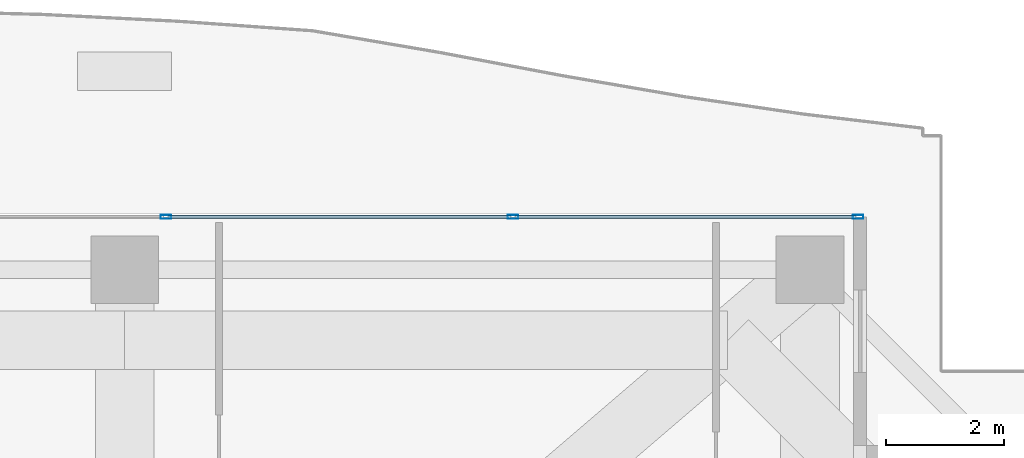
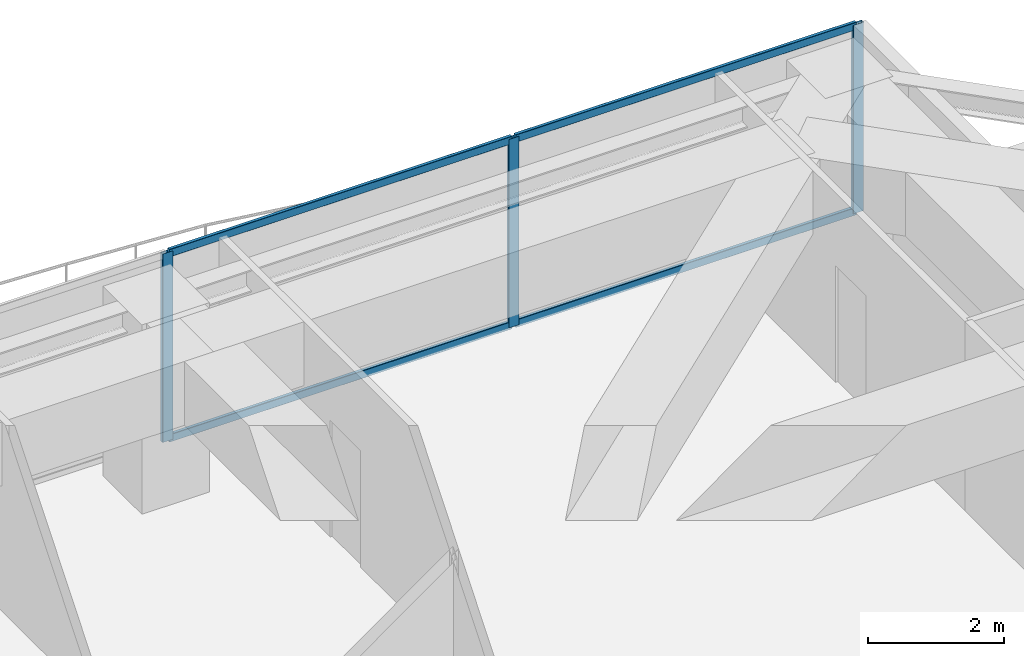
# One storey, part 26 of 39: 7 members, 1 element without a shape of its own.
"""IFC4 building model written with IfcOpenShell, lengths in metres."""

from ifc_helpers import new_model, si_unit, direction, frame, origin, origin_2d, place, context, subcontext, project, spatial, hollow_rectangle, extrude, source, transform, mapped, material, layer, layer_set, material_profile, profile_set, type_object, element, aggregate, save


model = new_model("IFC4")

# Units and contexts
model_context = context("Model", 3, precision=1e-05, world=origin(), true_north=direction((0.0, 1.0)))
body_context = subcontext(model_context, "Body", "Model", "MODEL_VIEW")
ifc_project = project(units=[si_unit("LENGTHUNIT", "METRE"), si_unit("AREAUNIT", "SQUARE_METRE"), si_unit("VOLUMEUNIT", "CUBIC_METRE"), si_unit("PLANEANGLEUNIT", "RADIAN"), si_unit("MASSUNIT", "GRAM", prefix="KILO")], contexts=[model_context])

# Site, building, storey
site_placement = place(None, origin())
site = spatial("IfcSite", under=ifc_project, at=site_placement, CompositionType="ELEMENT")
building_placement = place(site_placement, origin())
building = spatial("IfcBuilding", under=site, at=building_placement, Name="Serunith Strait Residences", CompositionType="ELEMENT")
storey_placement = place(building_placement, frame((0.0, 0.0, 283.60009765625)))
storey = spatial("IfcBuildingStorey", under=building, at=storey_placement, Name="L71", CompositionType="ELEMENT", Elevation=283.60009765625)

# Curtain wall, members
ifc_material = material(Name="Pale-Champagne Anodised Aluminium", Category="aluminium")
ifc_layer = layer(ifc_material, 0.199951171875, Name="Pale-Champagne Anodised Aluminium")
ifc_layer_set = layer_set([ifc_layer], Name="Pale-Champagne Anodised Aluminium")
curtain_wall_type = type_object("IfcCurtainWallType", Name="CW-SYS4", PredefinedType="NOTDEFINED", material=ifc_layer_set)
curtain_wall_placement = place(storey_placement, origin())
curtain_wall = element("IfcCurtainWall", 1, at=curtain_wall_placement, inside=storey, type_object=curtain_wall_type, Name="L71 N Unitised Fritted Curtain Wall", PredefinedType="NOTDEFINED")
ifc_material_profile_1 = material_profile(ifc_material, hollow_rectangle(XDim=0.06005859375, YDim=0.139892578125, WallThickness=0.00341796875, InnerFilletRadius=0.00537109375, OuterFilletRadius=0.0087890625, at=origin_2d()), Name="ALU 140x60x3.5")
ifc_profile_set_1 = profile_set([ifc_material_profile_1], Name="Pale-Champagne Anodised Aluminium")
member_type_1 = type_object("IfcMemberType", Name="CW-SYS4-TRAN", PredefinedType="USERDEFINED", material=ifc_profile_set_1)
shared_shape_1 = source(origin(), body_context, "Body", "SweptSolid", [
    extrude(hollow_rectangle(XDim=0.06005859375, YDim=0.139892578125, WallThickness=0.00341796875, InnerFilletRadius=0.00537109375, OuterFilletRadius=0.0087890625, at=origin_2d()), origin(), (0.0, 0.0, 1.0), 5.802490234375),
])
member_1_placement = place(storey_placement, frame((49.3349609375, 49.199951171875, 0.02978515625), z_axis=(-1.0, 0.0, 0.0), x_axis=(0.0, -1.0, 0.0)))
member_1 = element("IfcMember", 2, at=member_1_placement, type_object=member_type_1, Name="CW-4 transom 1.1", ObjectType="TRANSOM", PredefinedType="USERDEFINED", context=body_context, shape_type="MappedRepresentation", body=[
    mapped(shared_shape_1, transform((0.0, 0.0, 0.0), scale=1.0)),
])
member_2_placement = place(storey_placement, frame((49.3349609375, 49.199951171875, 3.364990234375), z_axis=(-1.0, 0.0, 0.0), x_axis=(0.0, -1.0, 0.0)))
member_2 = element("IfcMember", 3, at=member_2_placement, type_object=member_type_1, Name="CW-4 transom 1.2", ObjectType="TRANSOM", PredefinedType="USERDEFINED", context=body_context, shape_type="MappedRepresentation", body=[
    mapped(shared_shape_1, transform((0.0, 0.0, 0.0), scale=1.0)),
])
shared_shape_2 = source(origin(), body_context, "Body", "SweptSolid", [
    extrude(hollow_rectangle(XDim=0.06005859375, YDim=0.139892578125, WallThickness=0.00341796875, InnerFilletRadius=0.00537109375, OuterFilletRadius=0.0087890625, at=origin_2d()), origin(), (0.0, 0.0, 1.0), 5.8349609375),
])
member_3_placement = place(storey_placement, frame((43.467529296875, 49.199951171875, 0.02978515625), z_axis=(-1.0, 0.0, 0.0), x_axis=(0.0, -1.0, 0.0)))
member_3 = element("IfcMember", 4, at=member_3_placement, type_object=member_type_1, Name="CW-4 transom 2.1", ObjectType="TRANSOM", PredefinedType="USERDEFINED", context=body_context, shape_type="MappedRepresentation", body=[
    mapped(shared_shape_2, transform((0.0, 0.0, 0.0), scale=1.0)),
])
member_4_placement = place(storey_placement, frame((43.467529296875, 49.199951171875, 3.364990234375), z_axis=(-1.0, 0.0, 0.0), x_axis=(0.0, -1.0, 0.0)))
member_4 = element("IfcMember", 5, at=member_4_placement, type_object=member_type_1, Name="CW-4 transom 2.2", ObjectType="TRANSOM", PredefinedType="USERDEFINED", context=body_context, shape_type="MappedRepresentation", body=[
    mapped(shared_shape_2, transform((0.0, 0.0, 0.0), scale=1.0)),
])
ifc_material_profile_2 = material_profile(ifc_material, hollow_rectangle(XDim=0.06494140625, YDim=0.179931640625, WallThickness=0.00341796875, InnerFilletRadius=0.00537109375, OuterFilletRadius=0.0087890625, at=origin_2d()), Name="ALU 180x65x3.5")
ifc_profile_set_2 = profile_set([ifc_material_profile_2], Name="Pale-Champagne Anodised Aluminium")
member_type_2 = type_object("IfcMemberType", Name="CW-SYS4-MULL", PredefinedType="MULLION", material=ifc_profile_set_2)
shared_shape_3 = source(origin(), body_context, "Body", "SweptSolid", [
    extrude(hollow_rectangle(XDim=0.06494140625, YDim=0.179931640625, WallThickness=0.00341796875, InnerFilletRadius=0.00537109375, OuterFilletRadius=0.0087890625, at=origin_2d()), origin(), (0.0, 0.0, 1.0), 3.39501953125),
])
member_5_placement = place(storey_placement, frame((49.367431640625, 49.199951171875, 0.0), z_axis=(0.0, 0.0, 1.0), x_axis=(0.0, -1.0, 0.0)))
member_5 = element("IfcMember", 6, at=member_5_placement, type_object=member_type_2, Name="CW-4 mullion 1", PredefinedType="MULLION", context=body_context, shape_type="MappedRepresentation", body=[
    mapped(shared_shape_3, transform((0.0, 0.0, 0.0), scale=1.0)),
])
member_6_placement = place(storey_placement, frame((43.5, 49.199951171875, 0.0), z_axis=(0.0, 0.0, 1.0), x_axis=(0.0, -1.0, 0.0)))
member_6 = element("IfcMember", 7, at=member_6_placement, type_object=member_type_2, Name="CW-4 mullion 2", PredefinedType="MULLION", context=body_context, shape_type="MappedRepresentation", body=[
    mapped(shared_shape_3, transform((0.0, 0.0, 0.0), scale=1.0)),
])
member_7_placement = place(storey_placement, frame((37.60009765625, 49.199951171875, 0.0), z_axis=(0.0, 0.0, 1.0), x_axis=(0.0, -1.0, 0.0)))
member_7 = element("IfcMember", 8, at=member_7_placement, type_object=member_type_2, Name="CW-4 mullion 3", PredefinedType="MULLION", context=body_context, shape_type="MappedRepresentation", body=[
    mapped(shared_shape_3, transform((0.0, 0.0, 0.0), scale=1.0)),
])
aggregate(curtain_wall, [member_5, member_6, member_7, member_1, member_2, member_3, member_4])

save(model, "model.ifc")
